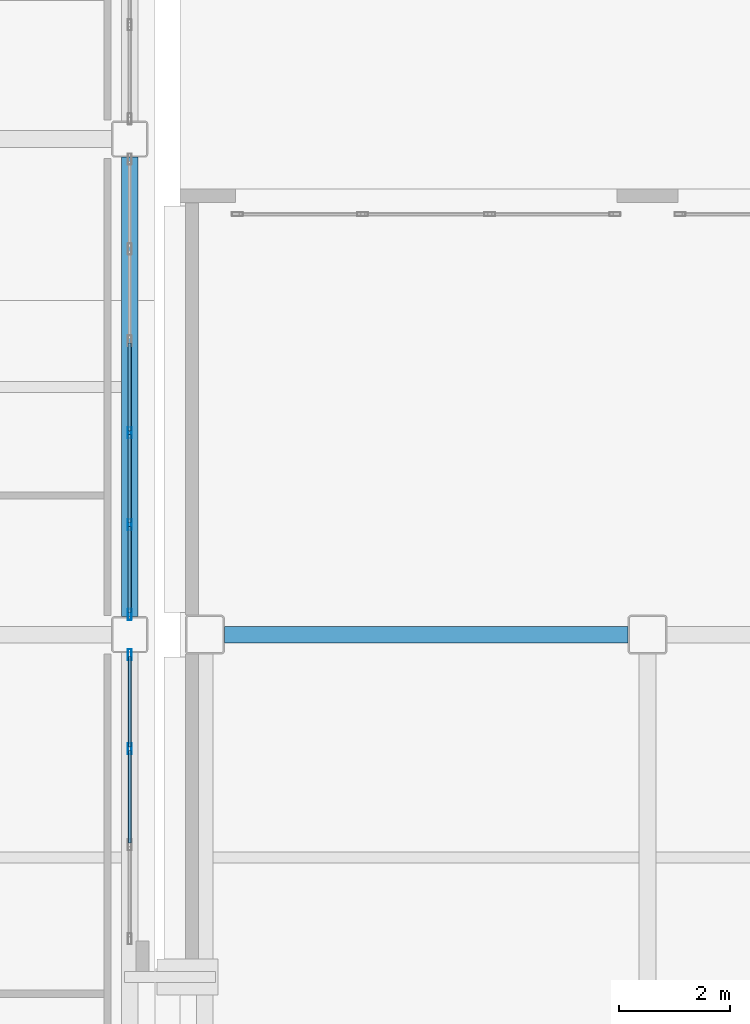
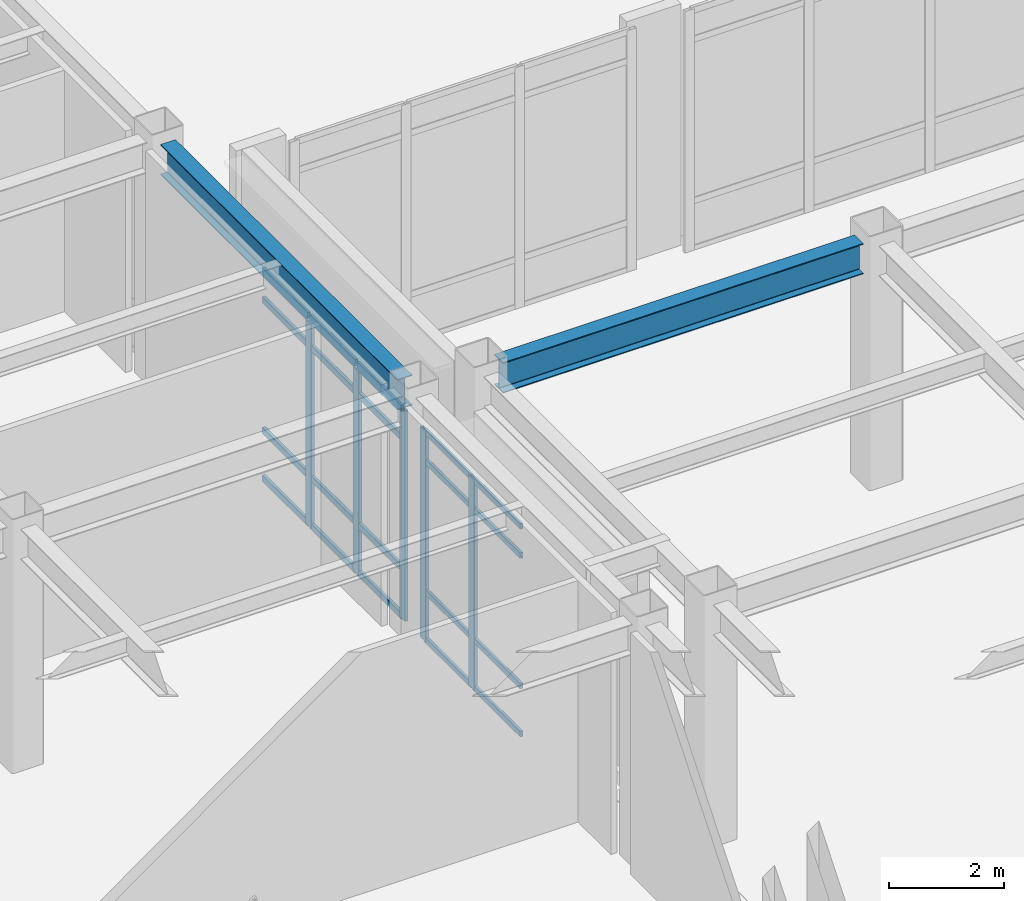
# One storey, part 54 of 165: 25 members, 2 beams, 2 elements without a shape of their own.
"""IFC4 building model written with IfcOpenShell, lengths in metres."""

from ifc_helpers import new_model, si_unit, direction, frame, origin, origin_2d, place, context, subcontext, project, spatial, hollow_rectangle, i_section, extrude, material, layer, layer_set, material_profile, profile_set, type_object, element, aggregate, save


model = new_model("IFC4")

# Units and contexts
model_context = context("Model", 3, precision=1e-05, world=origin(), true_north=direction((0.0, 1.0)))
body_context = subcontext(model_context, "Body", "Model", "MODEL_VIEW")
ifc_project = project(units=[si_unit("LENGTHUNIT", "METRE"), si_unit("AREAUNIT", "SQUARE_METRE"), si_unit("VOLUMEUNIT", "CUBIC_METRE"), si_unit("PLANEANGLEUNIT", "RADIAN"), si_unit("MASSUNIT", "GRAM", prefix="KILO")], contexts=[model_context])

# Site, building, storey
site_placement = place(None, origin())
site = spatial("IfcSite", under=ifc_project, at=site_placement, CompositionType="ELEMENT")
building_placement = place(site_placement, origin())
building = spatial("IfcBuilding", under=site, at=building_placement, Name="Kazehara Bluff Congress Hotel", CompositionType="ELEMENT")
storey_placement = place(building_placement, origin())
storey = spatial("IfcBuildingStorey", under=building, at=storey_placement, Name="L00", CompositionType="ELEMENT", Elevation=0.0)

# Curtain wall, members
ifc_material_1 = material(Name="Anodised aluminium", Category="aluminium")
ifc_layer_1 = layer(ifc_material_1, 0.159912109375)
ifc_layer_set_1 = layer_set([ifc_layer_1], Name="Anodised aluminium")
curtain_wall_type_1 = type_object("IfcCurtainWallType", Name="TP-CW-49", PredefinedType="NOTDEFINED", material=ifc_layer_set_1)
curtain_wall_1_placement = place(storey_placement, origin())
curtain_wall_1 = element("IfcCurtainWall", 1, at=curtain_wall_1_placement, inside=storey, type_object=curtain_wall_type_1, Name="L00 curtain wall CW-49 CW-V4-L00-X10920-2650", PredefinedType="NOTDEFINED")
ifc_material_2 = material(Name="Anodised aluminium", Category="aluminium")
ifc_material_profile_1 = material_profile(ifc_material_2, hollow_rectangle(XDim=0.070068359375, YDim=0.199951171875, WallThickness=0.0048828125, InnerFilletRadius=0.0048828125, OuterFilletRadius=0.010009765625, at=origin_2d()))
ifc_profile_set_1 = profile_set([ifc_material_profile_1], Name="Anodised aluminium")
member_type_1 = type_object("IfcMemberType", Name="TP-CWM-03", PredefinedType="MULLION", material=ifc_profile_set_1)
member_1_placement = place(storey_placement, frame((109.199951171875, 29.949951171875, 0.0), z_axis=(0.0, 0.0, 1.0), x_axis=(-1.0, 0.0, 0.0)))
member_1 = element("IfcMember", 2, at=member_1_placement, type_object=member_type_1, Name="CW-49 mullion 3", PredefinedType="MULLION", context=body_context, shape_type="SweptSolid", body=[
    extrude(hollow_rectangle(XDim=0.070068359375, YDim=0.199951171875, WallThickness=0.0048828125, InnerFilletRadius=0.0048828125, OuterFilletRadius=0.010009765625, at=origin_2d()), origin(), (0.0, 0.0, 1.0), 4.47509765625),
])
member_2_placement = place(storey_placement, frame((109.199951171875, 31.639892578125, 0.0), z_axis=(0.0, 0.0, 1.0), x_axis=(-1.0, 0.0, 0.0)))
member_2 = element("IfcMember", 3, at=member_2_placement, type_object=member_type_1, Name="CW-49 mullion 4", PredefinedType="MULLION", context=body_context, shape_type="SweptSolid", body=[
    extrude(hollow_rectangle(XDim=0.070068359375, YDim=0.199951171875, WallThickness=0.0048828125, InnerFilletRadius=0.0048828125, OuterFilletRadius=0.010009765625, at=origin_2d()), origin(), (0.0, 0.0, 1.0), 4.47509765625),
])

ifc_material_3 = material(Name="Anodised aluminium", Category="aluminium")
ifc_layer_2 = layer(ifc_material_3, 0.159912109375)
ifc_layer_set_2 = layer_set([ifc_layer_2], Name="Anodised aluminium")
curtain_wall_type_2 = type_object("IfcCurtainWallType", Name="TP-CW-50", PredefinedType="NOTDEFINED", material=ifc_layer_set_2)
curtain_wall_2_placement = place(storey_placement, origin())
curtain_wall_2 = element("IfcCurtainWall", 4, at=curtain_wall_2_placement, inside=storey, type_object=curtain_wall_type_2, Name="L00 curtain wall CW-50 CW-V4-L00-X10920-3233", PredefinedType="NOTDEFINED")
member_3_placement = place(storey_placement, frame((109.199951171875, 32.360107421875, 0.0), z_axis=(0.0, 0.0, 1.0), x_axis=(-1.0, 0.0, 0.0)))
member_3 = element("IfcMember", 5, at=member_3_placement, type_object=member_type_1, Name="CW-50 mullion 1", PredefinedType="MULLION", context=body_context, shape_type="SweptSolid", body=[
    extrude(hollow_rectangle(XDim=0.070068359375, YDim=0.199951171875, WallThickness=0.0048828125, InnerFilletRadius=0.0048828125, OuterFilletRadius=0.010009765625, at=origin_2d()), origin(), (0.0, 0.0, 1.0), 4.47509765625),
])
member_4_placement = place(storey_placement, frame((109.199951171875, 33.97509765625, 0.0), z_axis=(0.0, 0.0, 1.0), x_axis=(-1.0, 0.0, 0.0)))
member_4 = element("IfcMember", 6, at=member_4_placement, type_object=member_type_1, Name="CW-50 mullion 2", PredefinedType="MULLION", context=body_context, shape_type="SweptSolid", body=[
    extrude(hollow_rectangle(XDim=0.070068359375, YDim=0.199951171875, WallThickness=0.0048828125, InnerFilletRadius=0.0048828125, OuterFilletRadius=0.010009765625, at=origin_2d()), origin(), (0.0, 0.0, 1.0), 4.47509765625),
])
member_5_placement = place(storey_placement, frame((109.199951171875, 35.625, 0.0), z_axis=(0.0, 0.0, 1.0), x_axis=(-1.0, 0.0, 0.0)))
member_5 = element("IfcMember", 7, at=member_5_placement, type_object=member_type_1, Name="CW-50 mullion 3", PredefinedType="MULLION", context=body_context, shape_type="SweptSolid", body=[
    extrude(hollow_rectangle(XDim=0.070068359375, YDim=0.199951171875, WallThickness=0.0048828125, InnerFilletRadius=0.0048828125, OuterFilletRadius=0.010009765625, at=origin_2d()), origin(), (0.0, 0.0, 1.0), 4.47509765625),
])

# Member
ifc_material_4 = material(Name="Anodised aluminium", Category="aluminium")
ifc_material_profile_2 = material_profile(ifc_material_4, hollow_rectangle(XDim=0.06005859375, YDim=0.1201171875, WallThickness=0.00390625, InnerFilletRadius=0.00390625, OuterFilletRadius=0.008056640625, at=origin_2d()))
ifc_profile_set_2 = profile_set([ifc_material_profile_2], Name="Anodised aluminium")
member_type_2 = type_object("IfcMemberType", Name="TP-CWT-01", PredefinedType="USERDEFINED", material=ifc_profile_set_2)
member_6_placement = place(storey_placement, frame((109.199951171875, 28.260009765625, 0.030029296875), z_axis=(0.0, 1.0, 0.0), x_axis=(-1.0, 0.0, 0.0)))
member_6 = element("IfcMember", 8, at=member_6_placement, type_object=member_type_2, Name="CW-49 transom 2.1", ObjectType="TRANSOM", PredefinedType="USERDEFINED", context=body_context, shape_type="SweptSolid", body=[
    extrude(hollow_rectangle(XDim=0.06005859375, YDim=0.1201171875, WallThickness=0.00390625, InnerFilletRadius=0.00390625, OuterFilletRadius=0.008056640625, at=origin_2d()), origin(), (0.0, 0.0, 1.0), 1.655029296875),
])

member_7_placement = place(storey_placement, frame((109.199951171875, 28.260009765625, 1.050048828125), z_axis=(0.0, 1.0, 0.0), x_axis=(-1.0, 0.0, 0.0)))
member_7 = element("IfcMember", 9, at=member_7_placement, type_object=member_type_2, Name="CW-49 transom 2.2", ObjectType="TRANSOM", PredefinedType="USERDEFINED", context=body_context, shape_type="SweptSolid", body=[
    extrude(hollow_rectangle(XDim=0.06005859375, YDim=0.1201171875, WallThickness=0.00390625, InnerFilletRadius=0.00390625, OuterFilletRadius=0.008056640625, at=origin_2d()), origin(), (0.0, 0.0, 1.0), 1.655029296875),
])

member_8_placement = place(storey_placement, frame((109.199951171875, 28.260009765625, 3.824951171875), z_axis=(0.0, 1.0, 0.0), x_axis=(-1.0, 0.0, 0.0)))
member_8 = element("IfcMember", 10, at=member_8_placement, type_object=member_type_2, Name="CW-49 transom 2.3", ObjectType="TRANSOM", PredefinedType="USERDEFINED", context=body_context, shape_type="SweptSolid", body=[
    extrude(hollow_rectangle(XDim=0.06005859375, YDim=0.1201171875, WallThickness=0.00390625, InnerFilletRadius=0.00390625, OuterFilletRadius=0.008056640625, at=origin_2d()), origin(), (0.0, 0.0, 1.0), 1.655029296875),
])

member_9_placement = place(storey_placement, frame((109.199951171875, 28.260009765625, 4.445068359375), z_axis=(0.0, 1.0, 0.0), x_axis=(-1.0, 0.0, 0.0)))
member_9 = element("IfcMember", 11, at=member_9_placement, type_object=member_type_2, Name="CW-49 transom 2.4", ObjectType="TRANSOM", PredefinedType="USERDEFINED", context=body_context, shape_type="SweptSolid", body=[
    extrude(hollow_rectangle(XDim=0.06005859375, YDim=0.1201171875, WallThickness=0.00390625, InnerFilletRadius=0.00390625, OuterFilletRadius=0.008056640625, at=origin_2d()), origin(), (0.0, 0.0, 1.0), 1.655029296875),
])

member_10_placement = place(storey_placement, frame((109.199951171875, 29.985107421875, 0.030029296875), z_axis=(0.0, 1.0, 0.0), x_axis=(-1.0, 0.0, 0.0)))
member_10 = element("IfcMember", 12, at=member_10_placement, type_object=member_type_2, Name="CW-49 transom 3.1", ObjectType="TRANSOM", PredefinedType="USERDEFINED", context=body_context, shape_type="SweptSolid", body=[
    extrude(hollow_rectangle(XDim=0.06005859375, YDim=0.1201171875, WallThickness=0.00390625, InnerFilletRadius=0.00390625, OuterFilletRadius=0.008056640625, at=origin_2d()), origin(), (0.0, 0.0, 1.0), 1.619873046875),
])

member_11_placement = place(storey_placement, frame((109.199951171875, 29.985107421875, 1.050048828125), z_axis=(0.0, 1.0, 0.0), x_axis=(-1.0, 0.0, 0.0)))
member_11 = element("IfcMember", 13, at=member_11_placement, type_object=member_type_2, Name="CW-49 transom 3.2", ObjectType="TRANSOM", PredefinedType="USERDEFINED", context=body_context, shape_type="SweptSolid", body=[
    extrude(hollow_rectangle(XDim=0.06005859375, YDim=0.1201171875, WallThickness=0.00390625, InnerFilletRadius=0.00390625, OuterFilletRadius=0.008056640625, at=origin_2d()), origin(), (0.0, 0.0, 1.0), 1.619873046875),
])

member_12_placement = place(storey_placement, frame((109.199951171875, 29.985107421875, 3.824951171875), z_axis=(0.0, 1.0, 0.0), x_axis=(-1.0, 0.0, 0.0)))
member_12 = element("IfcMember", 14, at=member_12_placement, type_object=member_type_2, Name="CW-49 transom 3.3", ObjectType="TRANSOM", PredefinedType="USERDEFINED", context=body_context, shape_type="SweptSolid", body=[
    extrude(hollow_rectangle(XDim=0.06005859375, YDim=0.1201171875, WallThickness=0.00390625, InnerFilletRadius=0.00390625, OuterFilletRadius=0.008056640625, at=origin_2d()), origin(), (0.0, 0.0, 1.0), 1.619873046875),
])

member_13_placement = place(storey_placement, frame((109.199951171875, 29.985107421875, 4.445068359375), z_axis=(0.0, 1.0, 0.0), x_axis=(-1.0, 0.0, 0.0)))
member_13 = element("IfcMember", 15, at=member_13_placement, type_object=member_type_2, Name="CW-49 transom 3.4", ObjectType="TRANSOM", PredefinedType="USERDEFINED", context=body_context, shape_type="SweptSolid", body=[
    extrude(hollow_rectangle(XDim=0.06005859375, YDim=0.1201171875, WallThickness=0.00390625, InnerFilletRadius=0.00390625, OuterFilletRadius=0.008056640625, at=origin_2d()), origin(), (0.0, 0.0, 1.0), 1.619873046875),
])

aggregate(curtain_wall_1, [member_1, member_2, member_6, member_7, member_8, member_9, member_10, member_11, member_12, member_13])

ifc_material_5 = material(Name="Anodised aluminium", Category="aluminium")
ifc_material_profile_3 = material_profile(ifc_material_5, hollow_rectangle(XDim=0.06494140625, YDim=0.139892578125, WallThickness=0.00390625, InnerFilletRadius=0.00390625, OuterFilletRadius=0.008056640625, at=origin_2d()))
ifc_profile_set_3 = profile_set([ifc_material_profile_3], Name="Anodised aluminium")
member_type_3 = type_object("IfcMemberType", Name="TP-CWT-02", PredefinedType="USERDEFINED", material=ifc_profile_set_3)
member_14_placement = place(storey_placement, frame((109.199951171875, 32.39501953125, 0.032470703125), z_axis=(0.0, 1.0, 0.0), x_axis=(-1.0, 0.0, 0.0)))
member_14 = element("IfcMember", 16, at=member_14_placement, type_object=member_type_3, Name="CW-50 transom 1.1", ObjectType="TRANSOM", PredefinedType="USERDEFINED", context=body_context, shape_type="SweptSolid", body=[
    extrude(hollow_rectangle(XDim=0.06494140625, YDim=0.139892578125, WallThickness=0.00390625, InnerFilletRadius=0.00390625, OuterFilletRadius=0.008056640625, at=origin_2d()), origin(), (0.0, 0.0, 1.0), 1.544921875),
])

member_15_placement = place(storey_placement, frame((109.199951171875, 32.39501953125, 1.050048828125), z_axis=(0.0, 1.0, 0.0), x_axis=(-1.0, 0.0, 0.0)))
member_15 = element("IfcMember", 17, at=member_15_placement, type_object=member_type_3, Name="CW-50 transom 1.2", ObjectType="TRANSOM", PredefinedType="USERDEFINED", context=body_context, shape_type="SweptSolid", body=[
    extrude(hollow_rectangle(XDim=0.06494140625, YDim=0.139892578125, WallThickness=0.00390625, InnerFilletRadius=0.00390625, OuterFilletRadius=0.008056640625, at=origin_2d()), origin(), (0.0, 0.0, 1.0), 1.544921875),
])

member_16_placement = place(storey_placement, frame((109.199951171875, 32.39501953125, 3.824951171875), z_axis=(0.0, 1.0, 0.0), x_axis=(-1.0, 0.0, 0.0)))
member_16 = element("IfcMember", 18, at=member_16_placement, type_object=member_type_3, Name="CW-50 transom 1.3", ObjectType="TRANSOM", PredefinedType="USERDEFINED", context=body_context, shape_type="SweptSolid", body=[
    extrude(hollow_rectangle(XDim=0.06494140625, YDim=0.139892578125, WallThickness=0.00390625, InnerFilletRadius=0.00390625, OuterFilletRadius=0.008056640625, at=origin_2d()), origin(), (0.0, 0.0, 1.0), 1.544921875),
])

member_17_placement = place(storey_placement, frame((109.199951171875, 32.39501953125, 4.4423828125), z_axis=(0.0, 1.0, 0.0), x_axis=(-1.0, 0.0, 0.0)))
member_17 = element("IfcMember", 19, at=member_17_placement, type_object=member_type_3, Name="CW-50 transom 1.4", ObjectType="TRANSOM", PredefinedType="USERDEFINED", context=body_context, shape_type="SweptSolid", body=[
    extrude(hollow_rectangle(XDim=0.06494140625, YDim=0.139892578125, WallThickness=0.00390625, InnerFilletRadius=0.00390625, OuterFilletRadius=0.008056640625, at=origin_2d()), origin(), (0.0, 0.0, 1.0), 1.544921875),
])

member_18_placement = place(storey_placement, frame((109.199951171875, 34.010009765625, 0.032470703125), z_axis=(0.0, 1.0, 0.0), x_axis=(-1.0, 0.0, 0.0)))
member_18 = element("IfcMember", 20, at=member_18_placement, type_object=member_type_3, Name="CW-50 transom 2.1", ObjectType="TRANSOM", PredefinedType="USERDEFINED", context=body_context, shape_type="SweptSolid", body=[
    extrude(hollow_rectangle(XDim=0.06494140625, YDim=0.139892578125, WallThickness=0.00390625, InnerFilletRadius=0.00390625, OuterFilletRadius=0.008056640625, at=origin_2d()), origin(), (0.0, 0.0, 1.0), 1.580078125),
])

member_19_placement = place(storey_placement, frame((109.199951171875, 34.010009765625, 1.050048828125), z_axis=(0.0, 1.0, 0.0), x_axis=(-1.0, 0.0, 0.0)))
member_19 = element("IfcMember", 21, at=member_19_placement, type_object=member_type_3, Name="CW-50 transom 2.2", ObjectType="TRANSOM", PredefinedType="USERDEFINED", context=body_context, shape_type="SweptSolid", body=[
    extrude(hollow_rectangle(XDim=0.06494140625, YDim=0.139892578125, WallThickness=0.00390625, InnerFilletRadius=0.00390625, OuterFilletRadius=0.008056640625, at=origin_2d()), origin(), (0.0, 0.0, 1.0), 1.580078125),
])

member_20_placement = place(storey_placement, frame((109.199951171875, 34.010009765625, 3.824951171875), z_axis=(0.0, 1.0, 0.0), x_axis=(-1.0, 0.0, 0.0)))
member_20 = element("IfcMember", 22, at=member_20_placement, type_object=member_type_3, Name="CW-50 transom 2.3", ObjectType="TRANSOM", PredefinedType="USERDEFINED", context=body_context, shape_type="SweptSolid", body=[
    extrude(hollow_rectangle(XDim=0.06494140625, YDim=0.139892578125, WallThickness=0.00390625, InnerFilletRadius=0.00390625, OuterFilletRadius=0.008056640625, at=origin_2d()), origin(), (0.0, 0.0, 1.0), 1.580078125),
])

member_21_placement = place(storey_placement, frame((109.199951171875, 34.010009765625, 4.4423828125), z_axis=(0.0, 1.0, 0.0), x_axis=(-1.0, 0.0, 0.0)))
member_21 = element("IfcMember", 23, at=member_21_placement, type_object=member_type_3, Name="CW-50 transom 2.4", ObjectType="TRANSOM", PredefinedType="USERDEFINED", context=body_context, shape_type="SweptSolid", body=[
    extrude(hollow_rectangle(XDim=0.06494140625, YDim=0.139892578125, WallThickness=0.00390625, InnerFilletRadius=0.00390625, OuterFilletRadius=0.008056640625, at=origin_2d()), origin(), (0.0, 0.0, 1.0), 1.580078125),
])

member_22_placement = place(storey_placement, frame((109.199951171875, 35.659912109375, 0.032470703125), z_axis=(0.0, 1.0, 0.0), x_axis=(-1.0, 0.0, 0.0)))
member_22 = element("IfcMember", 24, at=member_22_placement, type_object=member_type_3, Name="CW-50 transom 3.1", ObjectType="TRANSOM", PredefinedType="USERDEFINED", context=body_context, shape_type="SweptSolid", body=[
    extrude(hollow_rectangle(XDim=0.06494140625, YDim=0.139892578125, WallThickness=0.00390625, InnerFilletRadius=0.00390625, OuterFilletRadius=0.008056640625, at=origin_2d()), origin(), (0.0, 0.0, 1.0), 1.580078125),
])

member_23_placement = place(storey_placement, frame((109.199951171875, 35.659912109375, 1.050048828125), z_axis=(0.0, 1.0, 0.0), x_axis=(-1.0, 0.0, 0.0)))
member_23 = element("IfcMember", 25, at=member_23_placement, type_object=member_type_3, Name="CW-50 transom 3.2", ObjectType="TRANSOM", PredefinedType="USERDEFINED", context=body_context, shape_type="SweptSolid", body=[
    extrude(hollow_rectangle(XDim=0.06494140625, YDim=0.139892578125, WallThickness=0.00390625, InnerFilletRadius=0.00390625, OuterFilletRadius=0.008056640625, at=origin_2d()), origin(), (0.0, 0.0, 1.0), 1.580078125),
])

member_24_placement = place(storey_placement, frame((109.199951171875, 35.659912109375, 3.824951171875), z_axis=(0.0, 1.0, 0.0), x_axis=(-1.0, 0.0, 0.0)))
member_24 = element("IfcMember", 26, at=member_24_placement, type_object=member_type_3, Name="CW-50 transom 3.3", ObjectType="TRANSOM", PredefinedType="USERDEFINED", context=body_context, shape_type="SweptSolid", body=[
    extrude(hollow_rectangle(XDim=0.06494140625, YDim=0.139892578125, WallThickness=0.00390625, InnerFilletRadius=0.00390625, OuterFilletRadius=0.008056640625, at=origin_2d()), origin(), (0.0, 0.0, 1.0), 1.580078125),
])

member_25_placement = place(storey_placement, frame((109.199951171875, 35.659912109375, 4.4423828125), z_axis=(0.0, 1.0, 0.0), x_axis=(-1.0, 0.0, 0.0)))
member_25 = element("IfcMember", 27, at=member_25_placement, type_object=member_type_3, Name="CW-50 transom 3.4", ObjectType="TRANSOM", PredefinedType="USERDEFINED", context=body_context, shape_type="SweptSolid", body=[
    extrude(hollow_rectangle(XDim=0.06494140625, YDim=0.139892578125, WallThickness=0.00390625, InnerFilletRadius=0.00390625, OuterFilletRadius=0.008056640625, at=origin_2d()), origin(), (0.0, 0.0, 1.0), 1.580078125),
])

aggregate(curtain_wall_2, [member_3, member_4, member_5, member_14, member_15, member_16, member_17, member_18, member_19, member_20, member_21, member_22, member_23, member_24, member_25])

# Beams
ifc_material_6 = material(Name="Steel SN490B", Category="steel")
ifc_material_profile_4 = material_profile(ifc_material_6, i_section(OverallWidth=0.300048828125, OverallDepth=0.64990234375, WebThickness=0.011962890625, FlangeThickness=0.02001953125, FilletRadius=0.012939453125, at=origin_2d()))
ifc_profile_set_4 = profile_set([ifc_material_profile_4], Name="Steel SN490B")
beam_type = type_object("IfcBeamType", Name="TP-G-03", PredefinedType="BEAM", material=ifc_profile_set_4)
beam_1_placement = place(storey_placement, frame((109.199951171875, 32.324951171875, 4.824951171875), z_axis=(0.0, 1.0, 0.0), x_axis=(-1.0, 0.0, 0.0)))
element("IfcBeam", 28, at=beam_1_placement, inside=storey, type_object=beam_type, Name="L00 girder G-03 182", PredefinedType="BEAM", context=body_context, shape_type="SweptSolid", body=[
    extrude(i_section(OverallWidth=0.300048828125, OverallDepth=0.64990234375, WebThickness=0.011962890625, FlangeThickness=0.02001953125, FilletRadius=0.012939453125, at=origin_2d()), origin(), (0.0, 0.0, 1.0), 8.25),
])
beam_2_placement = place(storey_placement, frame((110.89990234375, 32.0, 4.824951171875), z_axis=(1.0, 0.0, 0.0), x_axis=(0.0, 1.0, 0.0)))
element("IfcBeam", 29, at=beam_2_placement, inside=storey, type_object=beam_type, Name="L00 girder G-03 290", PredefinedType="BEAM", context=body_context, shape_type="SweptSolid", body=[
    extrude(i_section(OverallWidth=0.300048828125, OverallDepth=0.64990234375, WebThickness=0.011962890625, FlangeThickness=0.02001953125, FilletRadius=0.012939453125, at=origin_2d()), origin(), (0.0, 0.0, 1.0), 7.25),
])

save(model, "model.ifc")
